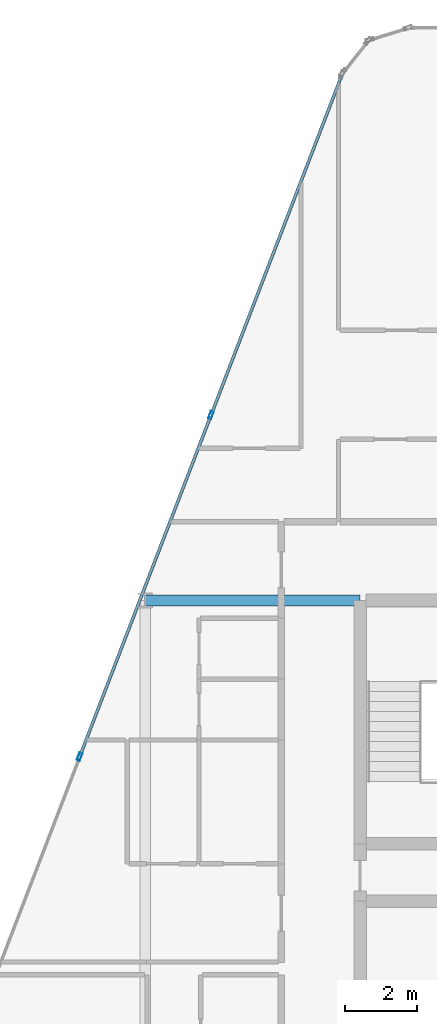
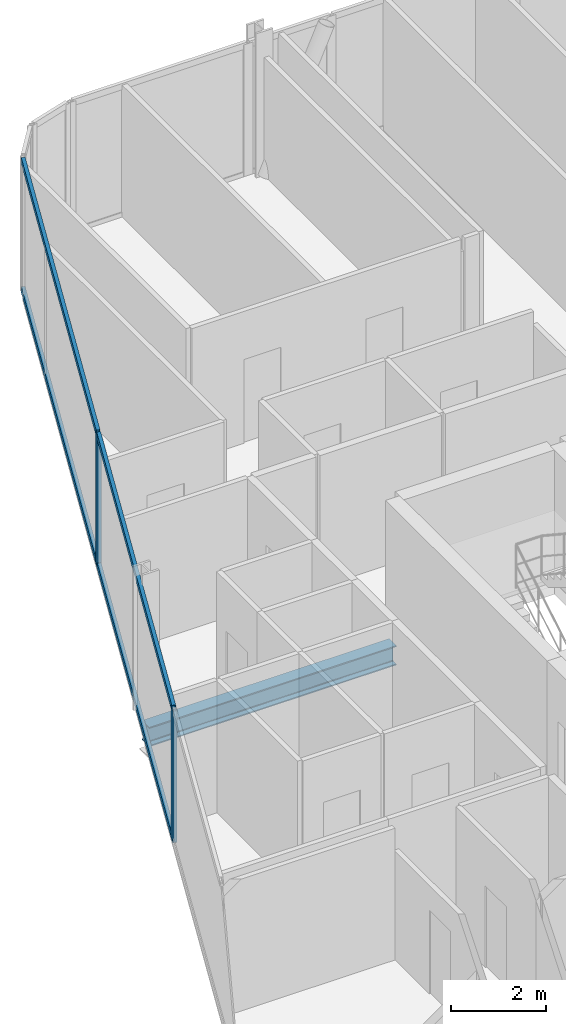
# One storey, part 11 of 33: 6 members, 1 beam, 1 element without a shape of its own.
"""IFC4 building model written with IfcOpenShell, lengths in metres."""

from ifc_helpers import new_model, si_unit, direction, frame, origin, origin_2d, place, context, subcontext, project, spatial, hollow_rectangle, i_section, extrude, material, layer, layer_set, material_profile, profile_set, type_object, element, aggregate, save


model = new_model("IFC4")

# Units and contexts
model_context = context("Model", 3, precision=1e-05, world=origin(), true_north=direction((0.0, 1.0)))
body_context = subcontext(model_context, "Body", "Model", "MODEL_VIEW")
ifc_project = project(units=[si_unit("LENGTHUNIT", "METRE"), si_unit("AREAUNIT", "SQUARE_METRE"), si_unit("VOLUMEUNIT", "CUBIC_METRE"), si_unit("PLANEANGLEUNIT", "RADIAN"), si_unit("MASSUNIT", "GRAM", prefix="KILO")], contexts=[model_context])

# Site, building, storey
site_placement = place(None, origin())
site = spatial("IfcSite", under=ifc_project, at=site_placement, CompositionType="ELEMENT")
building_placement = place(site_placement, origin())
building = spatial("IfcBuilding", under=site, at=building_placement, Name="Keshet Zoharim Tower", CompositionType="ELEMENT")
storey_placement = place(building_placement, frame((0.0, 0.0, 49.89990234375)))
storey = spatial("IfcBuildingStorey", under=building, at=storey_placement, Name="L11", CompositionType="ELEMENT", Elevation=49.89990234375)

# Beam
ifc_material_1 = material(Name="Steel S355", Category="steel")
ifc_material_profile_1 = material_profile(ifc_material_1, i_section(OverallWidth=0.300048828125, OverallDepth=0.5, WebThickness=0.014404296875, FlangeThickness=0.028076171875, FilletRadius=0.027099609375, at=origin_2d()), Name="HEB500")
ifc_profile_set_1 = profile_set([ifc_material_profile_1], Name="Steel S355")
beam_type = type_object("IfcBeamType", Name="BM-WEB-HB500", PredefinedType="BEAM", material=ifc_profile_set_1)
beam_placement = place(storey_placement, frame((9.0, 37.89990234375, -0.56494140625), z_axis=(1.0, 0.0, 0.0), x_axis=(0.0, 1.0, 0.0)))
element("IfcBeam", 1, at=beam_placement, inside=storey, type_object=beam_type, Name="L11 Primary Girder X-028", PredefinedType="BEAM", context=body_context, shape_type="SweptSolid", body=[
    extrude(i_section(OverallWidth=0.300048828125, OverallDepth=0.5, WebThickness=0.014404296875, FlangeThickness=0.028076171875, FilletRadius=0.027099609375, at=origin_2d()), origin(), (0.0, 0.0, 1.0), 6.0),
])

# Curtain wall, members
ifc_material_2 = material(Name="Aluminium 6063-T6", Category="aluminium")
ifc_layer = layer(ifc_material_2, 0.179931640625)
ifc_layer_set = layer_set([ifc_layer], Name="Aluminium 6063-T6")
curtain_wall_type = type_object("IfcCurtainWallType", Name="CW-SYS-01", PredefinedType="NOTDEFINED", material=ifc_layer_set)
curtain_wall_placement = place(storey_placement, origin())
curtain_wall = element("IfcCurtainWall", 2, at=curtain_wall_placement, inside=storey, type_object=curtain_wall_type, Name="L11 Unitised Curtain Wall 04", PredefinedType="NOTDEFINED")
ifc_material_profile_2 = material_profile(ifc_material_2, hollow_rectangle(XDim=0.090087890625, YDim=0.219970703125, WallThickness=0.0048828125, at=origin_2d()), Name="MUL-90x220")
ifc_profile_set_2 = profile_set([ifc_material_profile_2], Name="Aluminium 6063-T6")
member_type_1 = type_object("IfcMemberType", Name="CWM-M22", PredefinedType="MULLION", material=ifc_profile_set_2)
member_1_placement = place(storey_placement, frame((7.1669921875, 33.53466796875, 0.0), z_axis=(0.0, 0.0, 1.0), x_axis=(-0.933341404361, 0.358990003907, 0.0)))
member_1 = element("IfcMember", 3, at=member_1_placement, type_object=member_type_1, Name="CW-01 mullion 2", PredefinedType="MULLION", context=body_context, shape_type="SweptSolid", body=[
    extrude(hollow_rectangle(XDim=0.090087890625, YDim=0.219970703125, WallThickness=0.0048828125, at=origin_2d()), origin(), (0.0, 0.0, 1.0), 3.385009765625),
])
member_2_placement = place(storey_placement, frame((10.8369140625, 43.076416015625, 0.0), z_axis=(0.0, 0.0, 1.0), x_axis=(-0.933341404361, 0.358990003907, 0.0)))
member_2 = element("IfcMember", 4, at=member_2_placement, type_object=member_type_1, Name="CW-01 mullion 3", PredefinedType="MULLION", context=body_context, shape_type="SweptSolid", body=[
    extrude(hollow_rectangle(XDim=0.090087890625, YDim=0.219970703125, WallThickness=0.0048828125, at=origin_2d()), origin(), (0.0, 0.0, 1.0), 3.385009765625),
])
ifc_material_profile_3 = material_profile(ifc_material_2, hollow_rectangle(XDim=0.0849609375, YDim=0.159912109375, WallThickness=0.00439453125, at=origin_2d()), Name="TRN-85x160")
ifc_profile_set_3 = profile_set([ifc_material_profile_3], Name="Aluminium 6063-T6")
member_type_2 = type_object("IfcMemberType", Name="CWT-T16", PredefinedType="USERDEFINED", material=ifc_profile_set_3)
member_3_placement = place(storey_placement, frame((7.179443359375, 33.5673828125, 0.03515625), z_axis=(0.359003248899, 0.933336309848, 0.0), x_axis=(-0.933336309848, 0.359003248899, 0.0)))
member_3 = element("IfcMember", 5, at=member_3_placement, type_object=member_type_2, Name="CW-01 transom 2.1", ObjectType="TRANSOM", PredefinedType="USERDEFINED", context=body_context, shape_type="SweptSolid", body=[
    extrude(hollow_rectangle(XDim=0.0849609375, YDim=0.159912109375, WallThickness=0.00439453125, at=origin_2d()), origin(), (0.0, 0.0, 1.0), 10.153076171875),
])
member_4_placement = place(storey_placement, frame((7.179443359375, 33.5673828125, 3.35009765625), z_axis=(0.359003248899, 0.933336309848, 0.0), x_axis=(-0.933336309848, 0.359003248899, 0.0)))
member_4 = element("IfcMember", 6, at=member_4_placement, type_object=member_type_2, Name="CW-01 transom 2.2", ObjectType="TRANSOM", PredefinedType="USERDEFINED", context=body_context, shape_type="SweptSolid", body=[
    extrude(hollow_rectangle(XDim=0.0849609375, YDim=0.159912109375, WallThickness=0.00439453125, at=origin_2d()), origin(), (0.0, 0.0, 1.0), 10.153076171875),
])
member_5_placement = place(storey_placement, frame((10.849609375, 43.10888671875, 0.03515625), z_axis=(0.358985546764, 0.933343118694, 0.0), x_axis=(-0.933343118694, 0.358985546764, 0.0)))
member_5 = element("IfcMember", 7, at=member_5_placement, type_object=member_type_2, Name="CW-01 transom 3.1", ObjectType="TRANSOM", PredefinedType="USERDEFINED", context=body_context, shape_type="SweptSolid", body=[
    extrude(hollow_rectangle(XDim=0.0849609375, YDim=0.159912109375, WallThickness=0.00439453125, at=origin_2d()), origin(), (0.0, 0.0, 1.0), 10.118408203125),
])
member_6_placement = place(storey_placement, frame((10.849609375, 43.10888671875, 3.35009765625), z_axis=(0.358985546764, 0.933343118694, 0.0), x_axis=(-0.933343118694, 0.358985546764, 0.0)))
member_6 = element("IfcMember", 8, at=member_6_placement, type_object=member_type_2, Name="CW-01 transom 3.2", ObjectType="TRANSOM", PredefinedType="USERDEFINED", context=body_context, shape_type="SweptSolid", body=[
    extrude(hollow_rectangle(XDim=0.0849609375, YDim=0.159912109375, WallThickness=0.00439453125, at=origin_2d()), origin(), (0.0, 0.0, 1.0), 10.118408203125),
])
aggregate(curtain_wall, [member_1, member_2, member_3, member_4, member_5, member_6])

save(model, "model.ifc")
